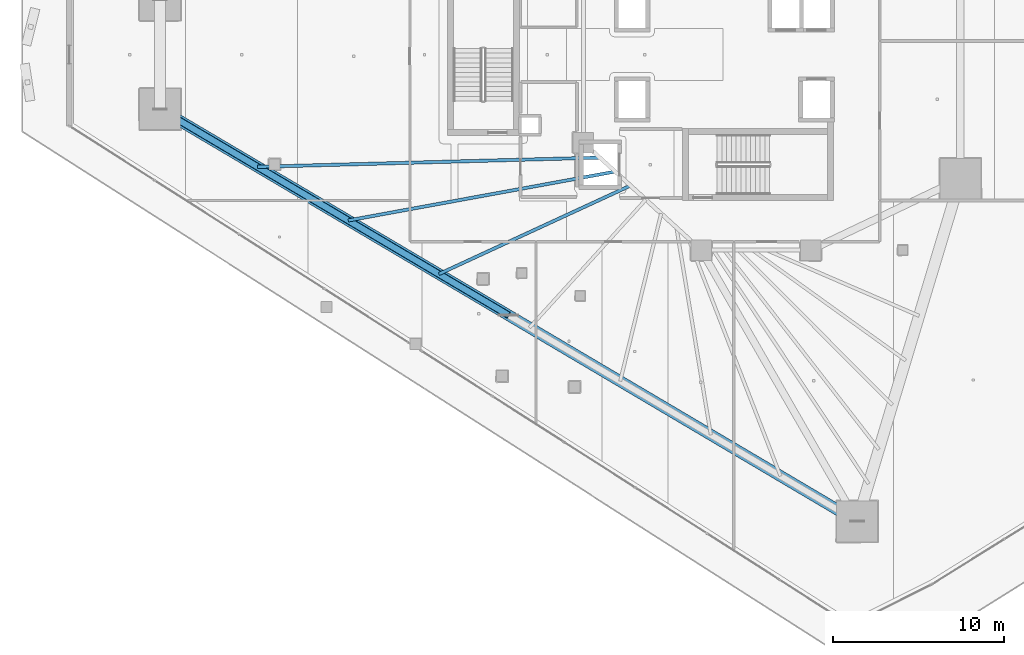
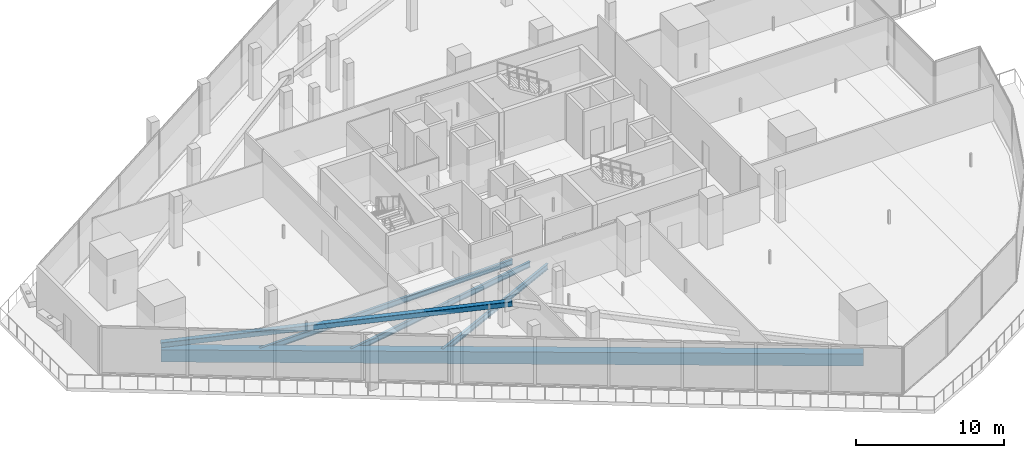
# One storey, part 6 of 45: 4 beams, 1 member.
"""IFC4 building model written with IfcOpenShell, lengths in metres."""

from ifc_helpers import new_model, si_unit, direction, frame, origin, origin_2d, place, context, subcontext, project, spatial, rectangle, hollow_rectangle, i_section, extrude, material, material_profile, profile_set, type_object, element, save


model = new_model("IFC4")

# Units and contexts
model_context = context("Model", 3, precision=1e-05, world=origin(), true_north=direction((0.0, 1.0)))
body_context = subcontext(model_context, "Body", "Model", "MODEL_VIEW")
ifc_project = project(units=[si_unit("LENGTHUNIT", "METRE"), si_unit("AREAUNIT", "SQUARE_METRE"), si_unit("VOLUMEUNIT", "CUBIC_METRE"), si_unit("PLANEANGLEUNIT", "RADIAN"), si_unit("MASSUNIT", "GRAM", prefix="KILO")], contexts=[model_context])

# Site, building, storey
site_placement = place(None, origin())
site = spatial("IfcSite", under=ifc_project, at=site_placement, CompositionType="ELEMENT")
building_placement = place(site_placement, origin())
building = spatial("IfcBuilding", under=site, at=building_placement, Name="Qorvath Tower", CompositionType="ELEMENT")
storey_placement = place(building_placement, frame((0.0, 0.0, 49.199951171875)))
storey = spatial("IfcBuildingStorey", under=building, at=storey_placement, Name="L10", CompositionType="ELEMENT", Elevation=49.199951171875)

# Beams
ifc_material_1 = material(Name="Steel ASTM A992 Grade 50", Category="steel")
ifc_material_profile_1 = material_profile(ifc_material_1, i_section(OverallWidth=0.18994140625, OverallDepth=0.45703125, WebThickness=0.009033203125, FlangeThickness=0.014404296875, FilletRadius=0.011962890625, at=origin_2d()), Name="W18x50")
ifc_profile_set_1 = profile_set([ifc_material_profile_1], Name="Steel ASTM A992 Grade 50")
beam_type_1 = type_object("IfcBeamType", Name="BM-FJ2", PredefinedType="JOIST", material=ifc_profile_set_1)
beam_1_placement = place(storey_placement, frame((-29.533935546875, -6.031982421875, -0.508544921875), z_axis=(-0.999634925413, -0.02701880631, 0.0), x_axis=(0.02701880631, -0.999634925413, 0.0)))
element("IfcBeam", 1, at=beam_1_placement, inside=storey, type_object=beam_type_1, Name="Composite Floor Joist SW1 L10", PredefinedType="JOIST", context=body_context, shape_type="SweptSolid", body=[
    extrude(i_section(OverallWidth=0.18994140625, OverallDepth=0.45703125, WebThickness=0.009033203125, FlangeThickness=0.014404296875, FilletRadius=0.011962890625, at=origin_2d()), origin(), (0.0, 0.0, 1.0), 20.041748046875),
])
beam_2_placement = place(storey_placement, frame((-28.636962890625, -6.85107421875, -0.508544921875), z_axis=(-0.983656498786, -0.180055248176, 0.0), x_axis=(0.180055248176, -0.983656498786, 0.0)))
element("IfcBeam", 2, at=beam_2_placement, inside=storey, type_object=beam_type_1, Name="Composite Floor Joist SW2 L10", PredefinedType="JOIST", context=body_context, shape_type="SweptSolid", body=[
    extrude(i_section(OverallWidth=0.18994140625, OverallDepth=0.45703125, WebThickness=0.009033203125, FlangeThickness=0.014404296875, FilletRadius=0.011962890625, at=origin_2d()), origin(), (0.0, 0.0, 1.0), 15.884521484375),
])
beam_3_placement = place(storey_placement, frame((-27.739990234375, -7.669921875, -0.508544921875), z_axis=(-0.907881281747, -0.419227358665, 0.0), x_axis=(0.419227358665, -0.907881281747, 0.0)))
element("IfcBeam", 3, at=beam_3_placement, inside=storey, type_object=beam_type_1, Name="Composite Floor Joist SW3 L10", PredefinedType="JOIST", context=body_context, shape_type="SweptSolid", body=[
    extrude(i_section(OverallWidth=0.18994140625, OverallDepth=0.45703125, WebThickness=0.009033203125, FlangeThickness=0.014404296875, FilletRadius=0.011962890625, at=origin_2d()), origin(), (0.0, 0.0, 1.0), 12.353515625),
])
ifc_material_2 = material(Name="Concrete C50/60", Category="concrete")
ifc_material_profile_2 = material_profile(ifc_material_2, rectangle(XDim=0.64990234375, YDim=1.0, at=origin_2d()), Name="RCB 1000x650")
ifc_profile_set_2 = profile_set([ifc_material_profile_2], Name="Concrete C50/60")
beam_type_2 = type_object("IfcBeamType", Name="BM-RCB1", PredefinedType="SPANDREL", material=ifc_profile_set_2)
beam_4_placement = place(storey_placement, frame((-55.282958984375, -3.194580078125, -0.780029296875), z_axis=(0.860777360917, -0.508981664633, 0.0), x_axis=(0.508981664633, 0.860777360917, 0.0)))
element("IfcBeam", 4, at=beam_4_placement, inside=storey, type_object=beam_type_2, Name="Perimeter Loggia Frame Beam MC2-MC3 L10", PredefinedType="SPANDREL", context=body_context, shape_type="SweptSolid", body=[
    extrude(rectangle(XDim=0.64990234375, YDim=1.0, at=origin_2d()), origin(), (0.0, 0.0, 1.0), 47.420654296875),
])

# Member
ifc_material_3 = material(Name="Steel ASTM A500 Grade C", Category="steel")
ifc_material_profile_3 = material_profile(ifc_material_3, hollow_rectangle(XDim=0.406494140625, YDim=0.406494140625, WallThickness=0.015869140625, InnerFilletRadius=0.015869140625, OuterFilletRadius=0.03173828125, at=origin_2d()), Name="HSS 406x406x16")
ifc_profile_set_3 = profile_set([ifc_material_profile_3], Name="Steel ASTM A500 Grade C")
member_type = type_object("IfcMemberType", Name="MEM-MB1", PredefinedType="BRACE", material=ifc_profile_set_3)
member_placement = place(storey_placement, frame((-55.282958984375, -3.194580078125, 0.0), z_axis=(0.85118128098, -0.503310468206, 0.148892577058), x_axis=(0.50898392026, 0.86077602715, 0.0)))
element("IfcMember", 5, at=member_placement, inside=storey, type_object=member_type, Name="Perimeter Chevron Brace L10-2A", PredefinedType="BRACE", context=body_context, shape_type="SweptSolid", body=[
    extrude(hollow_rectangle(XDim=0.406494140625, YDim=0.406494140625, WallThickness=0.015869140625, InnerFilletRadius=0.015869140625, OuterFilletRadius=0.03173828125, at=origin_2d()), origin(), (0.0, 0.0, 1.0), 23.9775390625),
])

save(model, "model.ifc")
